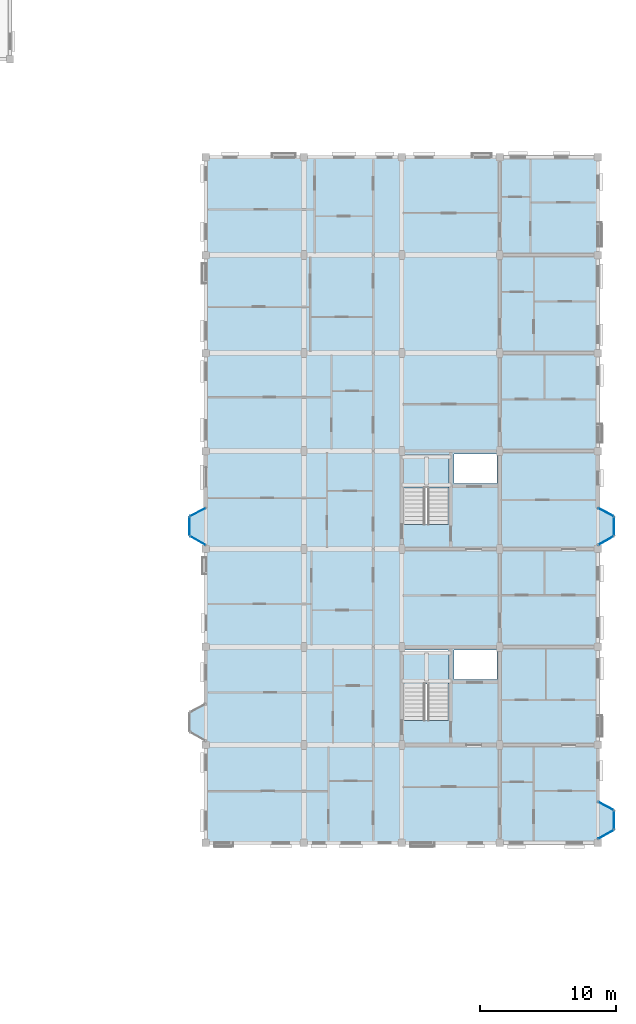
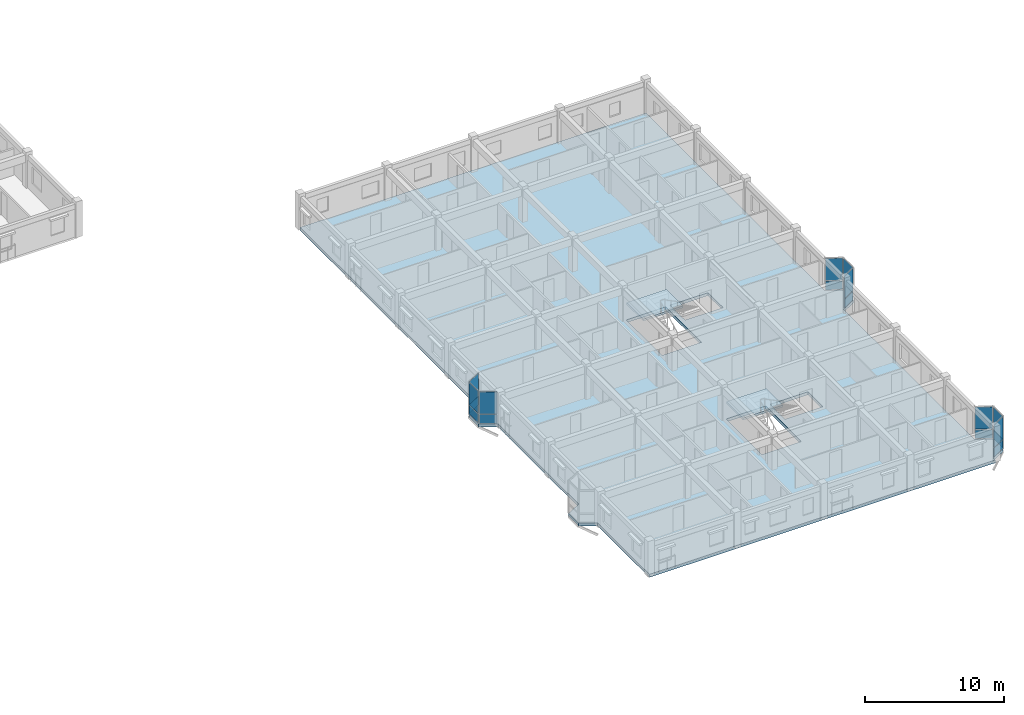
# One storey, part 48 of 79: 18 plates, 3 slabs, 11 elements without a shape of their own.
"""IFC4 building model written with IfcOpenShell, lengths in metres."""

from ifc_helpers import new_model, si_unit, direction, frame, origin, origin_2d, place, context, subcontext, project, spatial, polyline, rectangle, outline, extrude, material, layer, layer_set, type_object, element, aggregate, save


model = new_model("IFC4")

# Units and contexts
model_context = context("Model", 3, precision=1e-05, world=origin(), true_north=direction((0.0, 1.0)))
body_context = subcontext(model_context, "Body", "Model", "MODEL_VIEW")
ifc_project = project(units=[si_unit("LENGTHUNIT", "METRE"), si_unit("AREAUNIT", "SQUARE_METRE"), si_unit("VOLUMEUNIT", "CUBIC_METRE"), si_unit("PLANEANGLEUNIT", "RADIAN"), si_unit("MASSUNIT", "GRAM", prefix="KILO"), si_unit("THERMODYNAMICTEMPERATUREUNIT", "KELVIN"), si_unit("POWERUNIT", "WATT")], contexts=[model_context])

# Site, building, storey
site_placement = place(None, origin())
site = spatial("IfcSite", under=ifc_project, at=site_placement, CompositionType="ELEMENT")
building_placement = place(site_placement, origin())
building = spatial("IfcBuilding", under=site, at=building_placement, Name="Tavuni Mirador Residences", CompositionType="ELEMENT")
storey_placement = place(building_placement, frame((0.0, 0.0, 13.949951171875)))
storey = spatial("IfcBuildingStorey", under=building, at=storey_placement, Name="L04", CompositionType="ELEMENT", Elevation=13.949951171875)

# Curtain wall, plate
ifc_material_1 = material(Name="Anodised aluminium", Category="aluminium")
ifc_layer_1 = layer(ifc_material_1, 0.1650390625, Name="Anodised aluminium", Category="aluminium")
ifc_layer_set_1 = layer_set([ifc_layer_1], Name="Anodised aluminium")
curtain_wall_type_1 = type_object("IfcCurtainWallType", Name="CWT-MIR-A", PredefinedType="NOTDEFINED", material=ifc_layer_set_1)
curtain_wall_1_placement = place(storey_placement, origin())
curtain_wall_1 = element("IfcCurtainWall", 1, at=curtain_wall_1_placement, inside=storey, type_object=curtain_wall_type_1, Name="CW-MIR-D-E1-L04-M2", PredefinedType="NOTDEFINED")
ifc_material_2 = material(Name="Laminated solar-control glass", Category="glass")
ifc_layer_2 = layer(ifc_material_2, 0.02392578125, Name="Laminated solar-control glass", Category="glass")
ifc_layer_set_2 = layer_set([ifc_layer_2], Name="Laminated solar-control glass")
plate_type_1 = type_object("IfcPlateType", Name="CWP-GL24", PredefinedType="CURTAIN_PANEL", material=ifc_layer_set_2)
plate_1_placement = place(storey_placement, frame((119.39990234375, 89.10009765625, 0.8798828125), z_axis=(0.0, 0.0, 1.0), x_axis=(-0.882352941175, 0.470588235296, 0.0)))
plate_1 = element("IfcPlate", 2, at=plate_1_placement, type_object=plate_type_1, Name="CW-01 panel 1.2", PredefinedType="CURTAIN_PANEL", context=body_context, shape_type="SweptSolid", body=[
    extrude(rectangle(XDim=1.239990234375, YDim=0.02392578125, at=origin_2d()), origin(), (0.0, 0.0, 1.0), 1.949951171875),
])

curtain_wall_2_placement = place(storey_placement, origin())
curtain_wall_2 = element("IfcCurtainWall", 3, at=curtain_wall_2_placement, inside=storey, type_object=curtain_wall_type_1, Name="CW-MIR-D-W2-L04-M1", PredefinedType="NOTDEFINED")
plate_2_placement = place(storey_placement, frame((89.39990234375, 110.699951171875, 0.8798828125), z_axis=(0.0, 0.0, 1.0), x_axis=(-0.882352941175, -0.470588235296, 0.0)))
plate_2 = element("IfcPlate", 4, at=plate_2_placement, type_object=plate_type_1, Name="CW-01 panel 1.2", PredefinedType="CURTAIN_PANEL", context=body_context, shape_type="SweptSolid", body=[
    extrude(rectangle(XDim=1.239990234375, YDim=0.02392578125, at=origin_2d()), origin(), (0.0, 0.0, 1.0), 1.949951171875),
])

ifc_layer_3 = layer(ifc_material_1, 0.14990234375, Name="Anodised aluminium", Category="aluminium")
ifc_layer_set_3 = layer_set([ifc_layer_3], Name="Anodised aluminium")
curtain_wall_type_2 = type_object("IfcCurtainWallType", Name="CWT-MIR-B", PredefinedType="NOTDEFINED", material=ifc_layer_set_3)
curtain_wall_3_placement = place(storey_placement, origin())
curtain_wall_3 = element("IfcCurtainWall", 5, at=curtain_wall_3_placement, inside=storey, type_object=curtain_wall_type_2, Name="CW-MIR-D-E2-L04-M1", PredefinedType="NOTDEFINED")
ifc_layer_4 = layer(ifc_material_2, 0.028076171875, Name="Laminated solar-control glass", Category="glass")
ifc_layer_set_4 = layer_set([ifc_layer_4], Name="Laminated solar-control glass")
plate_type_2 = type_object("IfcPlateType", Name="CWP-GL28", PredefinedType="CURTAIN_PANEL", material=ifc_layer_set_4)
plate_3_placement = place(storey_placement, frame((119.39990234375, 108.617431640625, 0.882568359375), z_axis=(0.0, 0.0, 1.0), x_axis=(0.868465738194, 0.495749192217, 0.0)))
plate_3 = element("IfcPlate", 6, at=plate_3_placement, type_object=plate_type_2, Name="CW-02 panel 1.2", PredefinedType="CURTAIN_PANEL", context=body_context, shape_type="SweptSolid", body=[
    extrude(rectangle(XDim=1.251708984375, YDim=0.028076171875, at=origin_2d()), origin(), (0.0, 0.0, 1.0), 1.9423828125),
])

curtain_wall_4_placement = place(storey_placement, origin())
curtain_wall_4 = element("IfcCurtainWall", 7, at=curtain_wall_4_placement, inside=storey, type_object=curtain_wall_type_2, Name="CW-MIR-D-W2-L04-MF", PredefinedType="NOTDEFINED")
plate_4_placement = place(storey_placement, frame((88.800048828125, 109.669921875, 0.882568359375), z_axis=(0.0, 0.0, 1.0), x_axis=(0.0, -1.0, 0.0)))
plate_4 = element("IfcPlate", 8, at=plate_4_placement, type_object=plate_type_2, Name="CW-02 panel 1.2", PredefinedType="CURTAIN_PANEL", context=body_context, shape_type="SweptSolid", body=[
    extrude(rectangle(XDim=1.2900390625, YDim=0.028076171875, at=origin_2d()), origin(), (0.0, 0.0, 1.0), 1.9423828125),
])

ifc_layer_5 = layer(ifc_material_1, 0.175048828125, Name="Anodised aluminium", Category="aluminium")
ifc_layer_set_5 = layer_set([ifc_layer_5], Name="Anodised aluminium")
curtain_wall_type_3 = type_object("IfcCurtainWallType", Name="CWT-MIR-C", PredefinedType="NOTDEFINED", material=ifc_layer_set_5)
curtain_wall_5_placement = place(storey_placement, origin())
curtain_wall_5 = element("IfcCurtainWall", 9, at=curtain_wall_5_placement, inside=storey, type_object=curtain_wall_type_3, Name="CW-MIR-D-E1-L04-M1", PredefinedType="NOTDEFINED")
ifc_layer_6 = layer(ifc_material_2, 0.031982421875, Name="Laminated solar-control glass", Category="glass")
ifc_layer_set_6 = layer_set([ifc_layer_6], Name="Laminated solar-control glass")
plate_type_3 = type_object("IfcPlateType", Name="CWP-GL32", PredefinedType="CURTAIN_PANEL", material=ifc_layer_set_6)
plate_5_placement = place(storey_placement, frame((119.39990234375, 87.017578125, 0.8798828125), z_axis=(0.0, 0.0, 1.0), x_axis=(0.868465738194, 0.495749192217, 0.0)))
plate_5 = element("IfcPlate", 10, at=plate_5_placement, type_object=plate_type_3, Name="CW-03 panel 1.2", PredefinedType="CURTAIN_PANEL", context=body_context, shape_type="SweptSolid", body=[
    extrude(rectangle(XDim=1.26171875, YDim=0.031982421875, at=origin_2d()), origin(), (0.0, 0.0, 1.0), 1.949951171875),
])

curtain_wall_6_placement = place(storey_placement, origin())
curtain_wall_6 = element("IfcCurtainWall", 11, at=curtain_wall_6_placement, inside=storey, type_object=curtain_wall_type_3, Name="CW-MIR-D-E2-L04-MF", PredefinedType="NOTDEFINED")
plate_6_placement = place(storey_placement, frame((120.0, 109.669921875, 0.8798828125), z_axis=(0.0, 0.0, 1.0), x_axis=(0.0, 1.0, 0.0)))
plate_6 = element("IfcPlate", 12, at=plate_6_placement, type_object=plate_type_3, Name="CW-03 panel 1.2", PredefinedType="CURTAIN_PANEL", context=body_context, shape_type="SweptSolid", body=[
    extrude(rectangle(XDim=1.300048828125, YDim=0.031982421875, at=origin_2d()), origin(), (0.0, 0.0, 1.0), 1.949951171875),
])

curtain_wall_7_placement = place(storey_placement, origin())
curtain_wall_7 = element("IfcCurtainWall", 13, at=curtain_wall_7_placement, inside=storey, type_object=curtain_wall_type_3, Name="CW-MIR-D-W2-L04-M2", PredefinedType="NOTDEFINED")
plate_7_placement = place(storey_placement, frame((89.39990234375, 108.617431640625, 0.8798828125), z_axis=(0.0, 0.0, 1.0), x_axis=(0.868465738194, -0.495749192217, 0.0)))
plate_7 = element("IfcPlate", 14, at=plate_7_placement, type_object=plate_type_3, Name="CW-03 panel 1.2", PredefinedType="CURTAIN_PANEL", context=body_context, shape_type="SweptSolid", body=[
    extrude(rectangle(XDim=1.26171875, YDim=0.031982421875, at=origin_2d()), origin(), (0.0, 0.0, 1.0), 1.949951171875),
])

ifc_layer_7 = layer(ifc_material_1, 0.159912109375, Name="Anodised aluminium", Category="aluminium")
ifc_layer_set_7 = layer_set([ifc_layer_7], Name="Anodised aluminium")
curtain_wall_type_4 = type_object("IfcCurtainWallType", Name="CWT-MIR-D", PredefinedType="NOTDEFINED", material=ifc_layer_set_7)
curtain_wall_8_placement = place(storey_placement, origin())
curtain_wall_8 = element("IfcCurtainWall", 15, at=curtain_wall_8_placement, inside=storey, type_object=curtain_wall_type_4, Name="CW-MIR-D-E1-L04-MF", PredefinedType="NOTDEFINED")
ifc_layer_8 = layer(ifc_material_2, 0.035888671875, Name="Laminated solar-control glass", Category="glass")
ifc_layer_set_8 = layer_set([ifc_layer_8], Name="Laminated solar-control glass")
plate_type_4 = type_object("IfcPlateType", Name="CWP-GL36", PredefinedType="CURTAIN_PANEL", material=ifc_layer_set_8)
plate_8_placement = place(storey_placement, frame((120.0, 88.070068359375, 0.882568359375), z_axis=(0.0, 0.0, 1.0), x_axis=(0.0, 1.0, 0.0)))
plate_8 = element("IfcPlate", 16, at=plate_8_placement, type_object=plate_type_4, Name="CW-04 panel 1.2", PredefinedType="CURTAIN_PANEL", context=body_context, shape_type="SweptSolid", body=[
    extrude(rectangle(XDim=1.2900390625, YDim=0.035888671875, at=origin_2d()), origin(), (0.0, 0.0, 1.0), 1.9423828125),
])

curtain_wall_9_placement = place(storey_placement, origin())
curtain_wall_9 = element("IfcCurtainWall", 17, at=curtain_wall_9_placement, inside=storey, type_object=curtain_wall_type_4, Name="CW-MIR-D-E2-L04-M2", PredefinedType="NOTDEFINED")
plate_9_placement = place(storey_placement, frame((119.39990234375, 110.699951171875, 0.882568359375), z_axis=(0.0, 0.0, 1.0), x_axis=(-0.882352941175, 0.470588235296, 0.0)))
plate_9 = element("IfcPlate", 18, at=plate_9_placement, type_object=plate_type_4, Name="CW-04 panel 1.2", PredefinedType="CURTAIN_PANEL", context=body_context, shape_type="SweptSolid", body=[
    extrude(rectangle(XDim=1.22998046875, YDim=0.035888671875, at=origin_2d()), origin(), (0.0, 0.0, 1.0), 1.9423828125),
])

# Plate
ifc_material_3 = material(Name="Ceramic trencadis mosaic panel", Category="masonry")
ifc_layer_9 = layer(ifc_material_3, 0.0419921875, Name="Ceramic trencadis mosaic panel", Category="masonry")
ifc_layer_set_9 = layer_set([ifc_layer_9], Name="Ceramic trencadis mosaic panel")
plate_type_5 = type_object("IfcPlateType", Name="CWP-SP42", PredefinedType="CURTAIN_PANEL", material=ifc_layer_set_9)
plate_10_placement = place(storey_placement, frame((119.39990234375, 87.017578125, 0.06005859375), z_axis=(0.0, 0.0, 1.0), x_axis=(0.868465738194, 0.495749192217, 0.0)))
plate_10 = element("IfcPlate", 19, at=plate_10_placement, type_object=plate_type_5, Name="CW-03 panel 1.1", PredefinedType="CURTAIN_PANEL", context=body_context, shape_type="SweptSolid", body=[
    extrude(rectangle(XDim=1.26171875, YDim=0.0419921875, at=origin_2d()), origin(), (0.0, 0.0, 1.0), 0.760009765625),
])

aggregate(curtain_wall_5, [plate_10, plate_5])

plate_11_placement = place(storey_placement, frame((119.39990234375, 89.10009765625, 0.06005859375), z_axis=(0.0, 0.0, 1.0), x_axis=(-0.882352941175, 0.470588235296, 0.0)))
plate_11 = element("IfcPlate", 20, at=plate_11_placement, type_object=plate_type_5, Name="CW-01 panel 1.1", PredefinedType="CURTAIN_PANEL", context=body_context, shape_type="SweptSolid", body=[
    extrude(rectangle(XDim=1.239990234375, YDim=0.0419921875, at=origin_2d()), origin(), (0.0, 0.0, 1.0), 0.760009765625),
])

aggregate(curtain_wall_1, [plate_11, plate_1])

plate_12_placement = place(storey_placement, frame((120.0, 109.669921875, 0.06005859375), z_axis=(0.0, 0.0, 1.0), x_axis=(0.0, 1.0, 0.0)))
plate_12 = element("IfcPlate", 21, at=plate_12_placement, type_object=plate_type_5, Name="CW-03 panel 1.1", PredefinedType="CURTAIN_PANEL", context=body_context, shape_type="SweptSolid", body=[
    extrude(rectangle(XDim=1.300048828125, YDim=0.0419921875, at=origin_2d()), origin(), (0.0, 0.0, 1.0), 0.760009765625),
])

aggregate(curtain_wall_6, [plate_12, plate_6])

plate_13_placement = place(storey_placement, frame((89.39990234375, 110.699951171875, 0.06005859375), z_axis=(0.0, 0.0, 1.0), x_axis=(-0.882352941175, -0.470588235296, 0.0)))
plate_13 = element("IfcPlate", 22, at=plate_13_placement, type_object=plate_type_5, Name="CW-01 panel 1.1", PredefinedType="CURTAIN_PANEL", context=body_context, shape_type="SweptSolid", body=[
    extrude(rectangle(XDim=1.239990234375, YDim=0.0419921875, at=origin_2d()), origin(), (0.0, 0.0, 1.0), 0.760009765625),
])

aggregate(curtain_wall_2, [plate_13, plate_2])

plate_14_placement = place(storey_placement, frame((89.39990234375, 108.617431640625, 0.06005859375), z_axis=(0.0, 0.0, 1.0), x_axis=(0.868465738194, -0.495749192217, 0.0)))
plate_14 = element("IfcPlate", 23, at=plate_14_placement, type_object=plate_type_5, Name="CW-03 panel 1.1", PredefinedType="CURTAIN_PANEL", context=body_context, shape_type="SweptSolid", body=[
    extrude(rectangle(XDim=1.26171875, YDim=0.0419921875, at=origin_2d()), origin(), (0.0, 0.0, 1.0), 0.760009765625),
])

aggregate(curtain_wall_7, [plate_14, plate_7])

ifc_layer_10 = layer(ifc_material_3, 0.048095703125, Name="Ceramic trencadis mosaic panel", Category="masonry")
ifc_layer_set_10 = layer_set([ifc_layer_10], Name="Ceramic trencadis mosaic panel")
plate_type_6 = type_object("IfcPlateType", Name="CWP-SP48", PredefinedType="CURTAIN_PANEL", material=ifc_layer_set_10)
plate_15_placement = place(storey_placement, frame((120.0, 88.070068359375, 0.065185546875), z_axis=(0.0, 0.0, 1.0), x_axis=(0.0, 1.0, 0.0)))
plate_15 = element("IfcPlate", 24, at=plate_15_placement, type_object=plate_type_6, Name="CW-04 panel 1.1", PredefinedType="CURTAIN_PANEL", context=body_context, shape_type="SweptSolid", body=[
    extrude(rectangle(XDim=1.2900390625, YDim=0.048095703125, at=origin_2d()), origin(), (0.0, 0.0, 1.0), 0.75244140625),
])

aggregate(curtain_wall_8, [plate_15, plate_8])

plate_16_placement = place(storey_placement, frame((119.39990234375, 108.617431640625, 0.065185546875), z_axis=(0.0, 0.0, 1.0), x_axis=(0.868465738194, 0.495749192217, 0.0)))
plate_16 = element("IfcPlate", 25, at=plate_16_placement, type_object=plate_type_6, Name="CW-02 panel 1.1", PredefinedType="CURTAIN_PANEL", context=body_context, shape_type="SweptSolid", body=[
    extrude(rectangle(XDim=1.251708984375, YDim=0.048095703125, at=origin_2d()), origin(), (0.0, 0.0, 1.0), 0.75244140625),
])

aggregate(curtain_wall_3, [plate_16, plate_3])

plate_17_placement = place(storey_placement, frame((119.39990234375, 110.699951171875, 0.065185546875), z_axis=(0.0, 0.0, 1.0), x_axis=(-0.882352941175, 0.470588235296, 0.0)))
plate_17 = element("IfcPlate", 26, at=plate_17_placement, type_object=plate_type_6, Name="CW-04 panel 1.1", PredefinedType="CURTAIN_PANEL", context=body_context, shape_type="SweptSolid", body=[
    extrude(rectangle(XDim=1.22998046875, YDim=0.048095703125, at=origin_2d()), origin(), (0.0, 0.0, 1.0), 0.75244140625),
])

aggregate(curtain_wall_9, [plate_17, plate_9])

plate_18_placement = place(storey_placement, frame((88.800048828125, 109.669921875, 0.065185546875), z_axis=(0.0, 0.0, 1.0), x_axis=(0.0, -1.0, 0.0)))
plate_18 = element("IfcPlate", 27, at=plate_18_placement, type_object=plate_type_6, Name="CW-02 panel 1.1", PredefinedType="CURTAIN_PANEL", context=body_context, shape_type="SweptSolid", body=[
    extrude(rectangle(XDim=1.2900390625, YDim=0.048095703125, at=origin_2d()), origin(), (0.0, 0.0, 1.0), 0.75244140625),
])

aggregate(curtain_wall_4, [plate_18, plate_4])

# Slab
ifc_material_4 = material(Name="Prestressed concrete C45/55", Category="concrete")
ifc_layer_11 = layer(ifc_material_4, 0.260009765625, Name="Prestressed concrete C45/55", Category="concrete")
ifc_layer_set_11 = layer_set([ifc_layer_11], Name="Prestressed concrete C45/55")
slab_type_1 = type_object("IfcSlabType", Name="SLT-FLR260", PredefinedType="FLOOR", material=ifc_layer_set_11)
slab_1_placement = place(storey_placement, frame((0.0, 0.0, -0.260009765625)))
element("IfcSlab", 28, at=slab_1_placement, inside=storey, type_object=slab_type_1, Name="SLB-BLK-D-L04", PredefinedType="FLOOR", context=body_context, shape_type="SweptSolid", body=[
    extrude(outline(polyline([(90.0, 86.39990234375), (118.800048828125, 86.39990234375), (118.800048828125, 86.675048828125), (120.0, 87.360107421875), (120.0, 88.780029296875), (118.800048828125, 89.419921875), (118.800048828125, 108.27490234375), (120.0, 108.9599609375), (120.0, 110.3798828125), (118.800048828125, 111.02001953125), (118.800048828125, 136.800048828125), (90.0, 136.800048828125), (90.0, 111.02001953125), (88.800048828125, 110.3798828125), (88.800048828125, 108.9599609375), (90.0, 108.27490234375), (90.0, 96.6201171875), (88.800048828125, 95.97998046875), (88.800048828125, 94.56005859375), (90.0, 93.875), (90.0, 86.39990234375)]), holes=[polyline([(104.56005859375, 95.407958984375), (107.840087890625, 95.407958984375), (107.840087890625, 100.56005859375), (104.56005859375, 100.56005859375), (104.56005859375, 95.407958984375)]), polyline([(108.219970703125, 98.419921875), (111.3798828125, 98.419921875), (111.3798828125, 100.580078125), (108.219970703125, 100.580078125), (108.219970703125, 98.419921875)]), polyline([(104.56005859375, 109.80810546875), (107.840087890625, 109.80810546875), (107.840087890625, 114.9599609375), (104.56005859375, 114.9599609375), (104.56005859375, 109.80810546875)]), polyline([(108.219970703125, 112.820068359375), (111.3798828125, 112.820068359375), (111.3798828125, 114.97998046875), (108.219970703125, 114.97998046875), (108.219970703125, 112.820068359375)])]), origin(), (0.0, 0.0, 1.0), 0.260009765625),
])

# Stair, slab
ifc_material_5 = material(Name="Precast concrete C40/50", Category="concrete")
stair_type = type_object("IfcStairType", Name="STT-TYP", PredefinedType="HALF_TURN_STAIR", material=ifc_material_5)
stair_1_placement = place(storey_placement, origin())
stair_1 = element("IfcStair", 29, at=stair_1_placement, inside=storey, type_object=stair_type, Name="Protected exit stair ST7 (L04)", PredefinedType="HALF_TURN_STAIR")
ifc_layer_12 = layer(ifc_material_5, 0.179931640625, Name="Precast concrete C40/50", Category="concrete")
ifc_layer_set_12 = layer_set([ifc_layer_12], Name="Precast concrete C40/50")
slab_type_2 = type_object("IfcSlabType", Name="SLT-LND180", PredefinedType="LANDING", material=ifc_layer_set_12)
slab_2_placement = place(storey_placement, frame((0.0, 0.0, 1.39501953125)))
slab_2 = element("IfcSlab", 30, at=slab_2_placement, type_object=slab_type_2, Name="ST7 landing 1", PredefinedType="LANDING", context=body_context, shape_type="SweptSolid", body=[
    extrude(outline(polyline([(104.5400390625, 98.092041015625), (107.860107421875, 98.092041015625), (107.860107421875, 100.5), (104.5400390625, 100.5), (104.5400390625, 98.092041015625)])), origin(), (0.0, 0.0, 1.0), 0.179931640625),
])
aggregate(stair_1, [slab_2])

stair_2_placement = place(storey_placement, origin())
stair_2 = element("IfcStair", 31, at=stair_2_placement, inside=storey, type_object=stair_type, Name="Protected exit stair ST8 (L04)", PredefinedType="HALF_TURN_STAIR")
slab_3_placement = place(storey_placement, frame((0.0, 0.0, 1.39501953125)))
slab_3 = element("IfcSlab", 32, at=slab_3_placement, type_object=slab_type_2, Name="ST8 landing 1", PredefinedType="LANDING", context=body_context, shape_type="SweptSolid", body=[
    extrude(outline(polyline([(104.5400390625, 112.491943359375), (107.860107421875, 112.491943359375), (107.860107421875, 114.89990234375), (104.5400390625, 114.89990234375), (104.5400390625, 112.491943359375)])), origin(), (0.0, 0.0, 1.0), 0.179931640625),
])
aggregate(stair_2, [slab_3])

save(model, "model.ifc")
